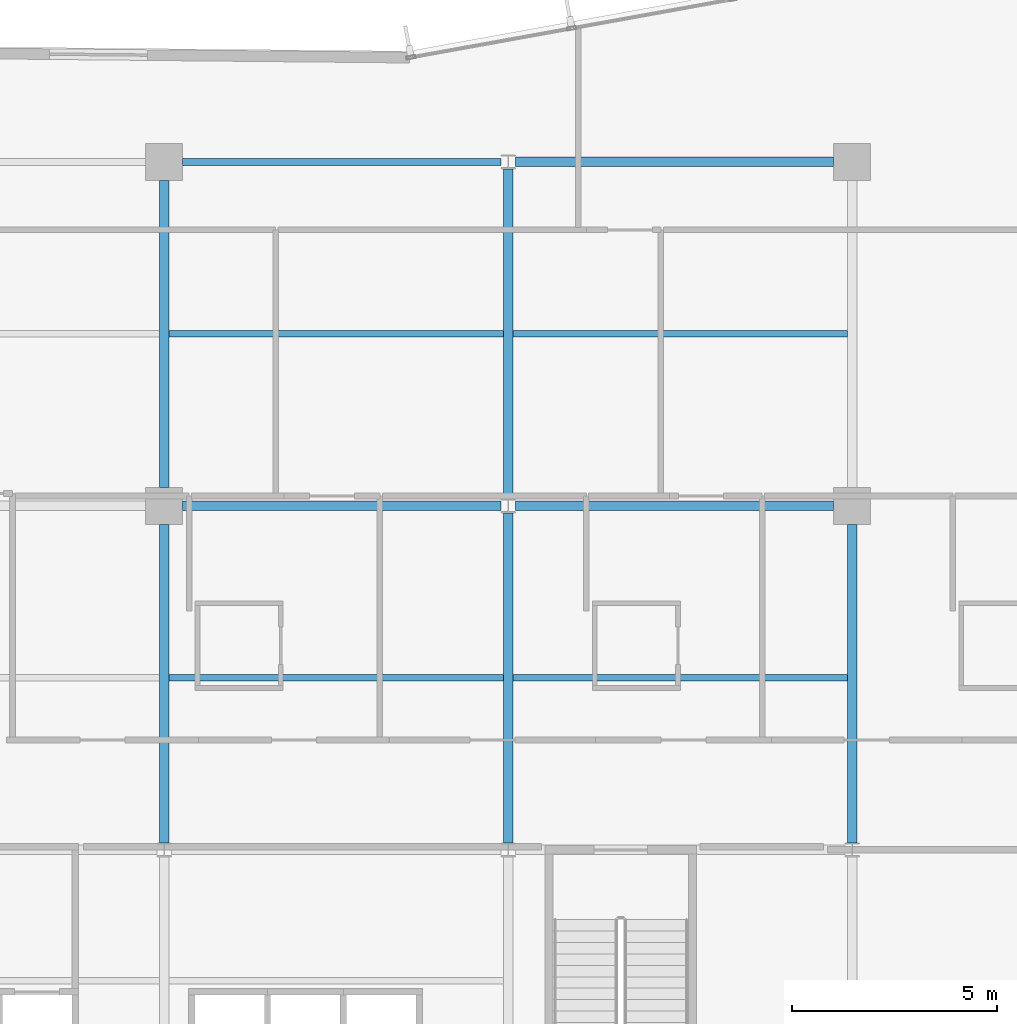
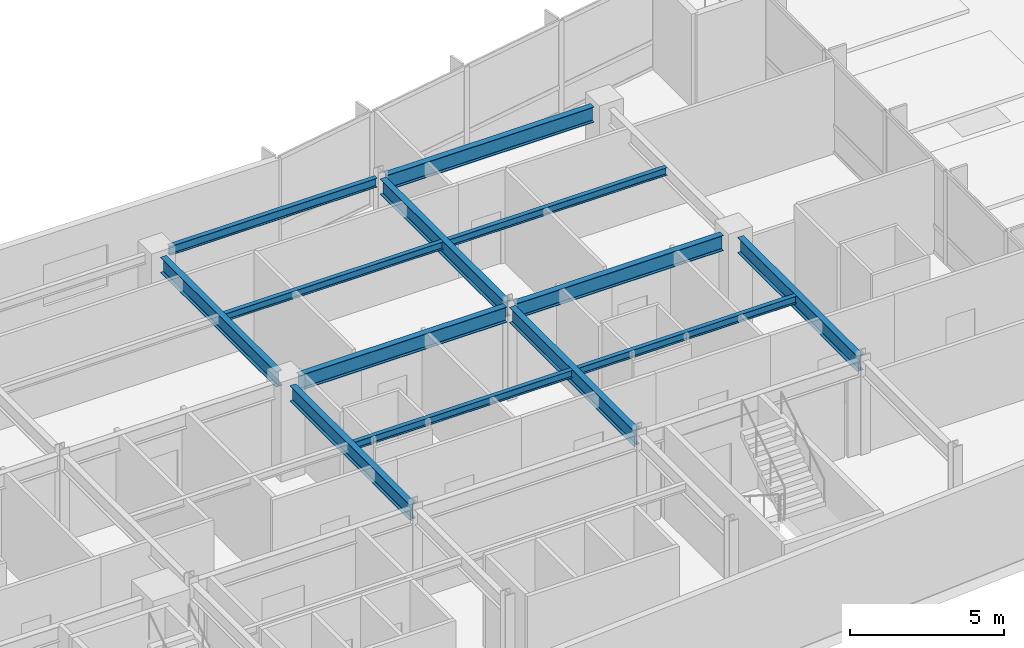
# One storey, part 5 of 20: 13 beams.
"""IFC4 building model written with IfcOpenShell, lengths in metres."""

import ifcopenshell
import ifcopenshell.guid

model = None  # the IFC model being written
_history = None  # IfcOwnerHistory: only IFC2X3 demands one
_inside = {}  # id of a spatial element -> (the spatial element, [elements in it])
_under = {}  # id of a project, library or spatial element -> (it, [spatial elements below it])
_declared = {}  # id of a project -> (the project, [libraries it declares])
_typed = {}  # id of a type object -> (the type object, [elements of that type])
_made_of = {}  # id of a material, layer set ... -> (it, [elements and type objects made of it])


def new_model(schema):
    """Start an empty IFC model of exactly this schema.

    Asked for "IFC4X3", IfcOpenShell would pick the latest addendum, in which some entities
    have other attributes; the version numbers below select the first issue.
    IFC2X3 requires an IfcOwnerHistory on every rooted entity: one is made here for all.
    """
    global model, _history
    if schema == "IFC4X3":
        model = ifcopenshell.file(schema_version=(4, 3, 0, 0))
    else:
        model = ifcopenshell.file(schema=schema)
    _inside.clear()
    _under.clear()
    _declared.clear()
    _typed.clear()
    _made_of.clear()
    _history = None
    if model.schema == "IFC2X3":
        org = make("IfcOrganization", Name="unknown")
        user = make(
            "IfcPersonAndOrganization",
            ThePerson=make("IfcPerson", FamilyName="unknown"),
            TheOrganization=org,
        )
        app = make(
            "IfcApplication",
            ApplicationDeveloper=org,
            Version="unknown",
            ApplicationFullName="unknown",
            ApplicationIdentifier="unknown",
        )
        _history = make(
            "IfcOwnerHistory",
            OwningUser=user,
            OwningApplication=app,
            ChangeAction="ADDED",
            CreationDate=0,
        )
    return model


def make(cls, **values):
    """One entity of the class cls with the attributes given. An attribute that is None is left unset."""
    return model.create_entity(
        cls, **{name: value for name, value in values.items() if value is not None}
    )


def rooted(cls, **values):
    """An entity with a GlobalId (a new one), such as an element, a storey or a relation."""
    return make(cls, GlobalId=ifcopenshell.guid.new(), OwnerHistory=_history, **values)


def si_unit(unit_type, name, prefix=None):
    """IfcSIUnit, for example si_unit("LENGTHUNIT", "METRE", prefix="MILLI")."""
    return make("IfcSIUnit", UnitType=unit_type, Prefix=prefix, Name=name)


def assignment(units):
    """IfcUnitAssignment: the units of a project."""
    return None if units is None else make("IfcUnitAssignment", Units=units)


def point(xyz):
    """IfcCartesianPoint."""
    return None if xyz is None else make("IfcCartesianPoint", Coordinates=xyz)


def direction(xyz):
    """IfcDirection."""
    return None if xyz is None else make("IfcDirection", DirectionRatios=xyz)


def frame(location, z_axis=None, x_axis=None):
    """IfcAxis2Placement3D, a coordinate frame: its origin and axes. An axis left out is left unset."""
    return make(
        "IfcAxis2Placement3D",
        Location=point(location),
        Axis=direction(z_axis),
        RefDirection=direction(x_axis),
    )


def frame_2d(location, x_axis=None):
    """IfcAxis2Placement2D, a coordinate frame in the plane: its origin and x axis."""
    return make(
        "IfcAxis2Placement2D", Location=point(location), RefDirection=direction(x_axis)
    )


def origin():
    """The frame at (0, 0, 0) with its axes left unset."""
    return frame((0.0, 0.0, 0.0))


def origin_2d():
    """The frame at (0, 0) in the plane with its x axis left unset."""
    return frame_2d((0.0, 0.0))


def place(relative_to, where):
    """IfcLocalPlacement: puts the frame where relative to a parent placement (None: the world)."""
    return make(
        "IfcLocalPlacement", PlacementRelTo=relative_to, RelativePlacement=where
    )


def context(
    kind, dimensions, precision=None, world=None, true_north=None, identifier=None
):
    """IfcGeometricRepresentationContext, for example the 3D "Model" context."""
    return make(
        "IfcGeometricRepresentationContext",
        ContextIdentifier=identifier,
        ContextType=kind,
        CoordinateSpaceDimension=dimensions,
        Precision=precision,
        WorldCoordinateSystem=world,
        TrueNorth=true_north,
    )


def subcontext(parent, identifier, kind, view, scale=None):
    """IfcGeometricRepresentationSubContext, for example "Body" below "Model"."""
    return make(
        "IfcGeometricRepresentationSubContext",
        ContextIdentifier=identifier,
        ContextType=kind,
        ParentContext=parent,
        TargetScale=scale,
        TargetView=view,
    )


def project(units=None, contexts=None):
    """IfcProject with its units and contexts."""
    return rooted(
        "IfcProject",
        Name="project",
        RepresentationContexts=contexts,
        UnitsInContext=assignment(units),
    )


def spatial(cls, under=None, at=None, **own):
    """A site, building, storey or space (cls), placed at a placement, below another one or the project."""
    s = rooted(cls, ObjectPlacement=at, **own)
    if under is not None:
        _under.setdefault(under.id(), (under, []))[1].append(s)
    return s


def profile(cls, at=None, kind="AREA", **sizes):
    """A parametric profile (cls). Its sizes go by their IFC names, for example OverallWidth=200.0."""
    return make(cls, ProfileType=kind, Position=at, **sizes)


def i_section(**sizes):
    """IfcIShapeProfileDef."""
    return profile("IfcIShapeProfileDef", **sizes)


def extrude(swept, where, along, depth):
    """IfcExtrudedAreaSolid: the profile swept, set in the frame where, extruded along a direction by depth."""
    return make(
        "IfcExtrudedAreaSolid",
        SweptArea=swept,
        Position=where,
        ExtrudedDirection=direction(along),
        Depth=depth,
    )


def shape(context_of_items, identifier, shape_type, items):
    """IfcShapeRepresentation: the items that make up one representation, for example the "Body"."""
    return make(
        "IfcShapeRepresentation",
        ContextOfItems=context_of_items,
        RepresentationIdentifier=identifier,
        RepresentationType=shape_type,
        Items=items,
    )


def material(Name=None, Category=None):
    """IfcMaterial."""
    return make("IfcMaterial", Name=Name, Category=Category)


def material_profile(
    of_material, cross_section, Name=None, Category=None, Priority=None
):
    """IfcMaterialProfile: a cross section and its material."""
    return make(
        "IfcMaterialProfile",
        Name=Name,
        Material=of_material,
        Profile=cross_section,
        Priority=Priority,
        Category=Category,
    )


def profile_set(profiles, Name=None, composite=None):
    """IfcMaterialProfileSet."""
    return make(
        "IfcMaterialProfileSet",
        Name=Name,
        MaterialProfiles=profiles,
        CompositeProfile=composite,
    )


def made_of(thing, what):
    """Note that an element or type object is made of a material, layer set ...; save() writes the relation."""
    if what is not None:
        _made_of.setdefault(what.id(), (what, []))[1].append(thing)
    return thing


def type_object(cls, material=None, **own):
    """A type object (cls), such as IfcWallType, which elements share."""
    return made_of(rooted(cls, **own), material)


def element(
    cls,
    number,
    at=None,
    inside=None,
    cuts=None,
    type_object=None,
    material=None,
    context=None,
    identifier="Body",
    shape_type=None,
    held_by="IfcProductDefinitionShape",
    body=None,
    shapes=None,
    **own,
):
    """One element of the class cls, such as IfcWall. Its Tag is "e" and its number.

    at: its placement. inside: the storey or other place that contains it. cuts: it is an
    opening in that element (IfcRelVoidsElement). A single representation is given by context,
    identifier, shape_type and body (its items); several are given by shapes. held_by: the class
    of the entity that holds the representations. save() writes the other relations.
    """
    e = rooted(cls, Tag="e%d" % number, ObjectPlacement=at, **own)
    if body is not None:
        shapes = [shape(context, identifier, shape_type, body)]
    if shapes is not None:
        e.Representation = make(held_by, Representations=shapes)
    if inside is not None:
        _inside.setdefault(inside.id(), (inside, []))[1].append(e)
    if cuts is not None:
        rooted(
            "IfcRelVoidsElement", RelatingBuildingElement=cuts, RelatedOpeningElement=e
        )
    if type_object is not None:
        _typed.setdefault(type_object.id(), (type_object, []))[1].append(e)
    return made_of(e, material)


def aggregate(whole, parts):
    """IfcRelAggregates: a whole, such as a stair, and the parts it consists of."""
    return rooted("IfcRelAggregates", RelatingObject=whole, RelatedObjects=parts)


def save(model, path):
    """Write the relations noted so far, then the file.

    IfcRelAggregates (storeys below a building ...), IfcRelContainedInSpatialStructure (elements
    in a storey), IfcRelDefinesByType, IfcRelAssociatesMaterial and IfcRelDeclares: one each for
    every whole, place, type object, material and project.
    """
    for whole, parts in _under.values():
        aggregate(whole, parts)
    for where, things in _inside.values():
        rooted(
            "IfcRelContainedInSpatialStructure",
            RelatedElements=things,
            RelatingStructure=where,
        )
    for kind, things in _typed.values():
        rooted("IfcRelDefinesByType", RelatedObjects=things, RelatingType=kind)
    for what, things in _made_of.values():
        rooted("IfcRelAssociatesMaterial", RelatedObjects=things, RelatingMaterial=what)
    for by, libraries in _declared.values():
        rooted("IfcRelDeclares", RelatingContext=by, RelatedDefinitions=libraries)
    model.write(path)


model = new_model("IFC4")

# Units and contexts
model_context = context("Model", 3, precision=1e-05, world=origin(), true_north=direction((0.0, 1.0)))
body_context = subcontext(model_context, "Body", "Model", "MODEL_VIEW")
ifc_project = project(units=[si_unit("LENGTHUNIT", "METRE"), si_unit("AREAUNIT", "SQUARE_METRE"), si_unit("VOLUMEUNIT", "CUBIC_METRE"), si_unit("PLANEANGLEUNIT", "RADIAN"), si_unit("MASSUNIT", "GRAM", prefix="KILO")], contexts=[model_context])

# Site, building, storey
site_placement = place(None, origin())
site = spatial("IfcSite", under=ifc_project, at=site_placement, CompositionType="ELEMENT")
building_placement = place(site_placement, origin())
building = spatial("IfcBuilding", under=site, at=building_placement, Name="Varnakote Quay Hospital", CompositionType="ELEMENT")
storey_placement = place(building_placement, frame((0.0, 0.0, 22.5)))
storey = spatial("IfcBuildingStorey", under=building, at=storey_placement, Name="L05", CompositionType="ELEMENT", Elevation=22.5)

# Beams
ifc_material_1 = material(Name="Structural steel AS/NZS 3679.1 Grade 350 L0 (fy 340 MPa)", Category="steel")
ifc_material_profile_1 = material_profile(ifc_material_1, i_section(OverallWidth=0.22900390625, OverallDepth=0.612060546875, WebThickness=0.011962890625, FlangeThickness=0.01953125, FilletRadius=0.013916015625, at=origin_2d()), Name="610UB125")
ifc_profile_set_1 = profile_set([ifc_material_profile_1], Name="Structural steel AS/NZS 3679.1 Grade 350 L0 (fy 340 MPa)")
beam_type_1 = type_object("IfcBeamType", Name="BM-STL-610UB125", PredefinedType="BEAM", material=ifc_profile_set_1)
for number, where, z_axis, x_axis, name in (
    (1, (34.050048828125, 20.39990234375, 3.404052734375), (1.0, 0.0, 0.0), (0.0, 1.0, 0.0), "L05 Plated Composite Transfer Beam"),
    (2, (42.175048828125, 20.39990234375, 3.404052734375), (1.0, 0.0, 0.0), (0.0, 1.0, 0.0), "L05 Plated Composite Transfer Beam"),
    (3, (42.175048828125, 28.800048828125, 3.404052734375), (1.0, 0.0, 0.0), (0.0, 1.0, 0.0), "L05 Plated Composite Transfer Beam"),
):
    element("IfcBeam", number, at=place(storey_placement, frame(where, z_axis=z_axis, x_axis=x_axis)), inside=storey, type_object=beam_type_1, Name=name, PredefinedType="BEAM", context=body_context, shape_type="SweptSolid", body=[
        extrude(i_section(OverallWidth=0.22900390625, OverallDepth=0.612060546875, WebThickness=0.011962890625, FlangeThickness=0.01953125, FilletRadius=0.013916015625, at=origin_2d()), origin(), (0.0, 0.0, 1.0), 7.77490234375),
    ])
beam_1_placement = place(storey_placement, frame((33.60009765625, 12.169921875, 3.404052734375), z_axis=(0.0, 1.0, 0.0), x_axis=(-1.0, 0.0, 0.0)))
element("IfcBeam", 4, at=beam_1_placement, inside=storey, type_object=beam_type_1, Name="L05 Primary Tie Beam", PredefinedType="BEAM", context=body_context, shape_type="SweptSolid", body=[
    extrude(i_section(OverallWidth=0.22900390625, OverallDepth=0.612060546875, WebThickness=0.011962890625, FlangeThickness=0.01953125, FilletRadius=0.013916015625, at=origin_2d()), origin(), (0.0, 0.0, 1.0), 7.780029296875),
])
beam_2_placement = place(storey_placement, frame((33.60009765625, 20.85009765625, 3.404052734375), z_axis=(0.0, 1.0, 0.0), x_axis=(-1.0, 0.0, 0.0)))
element("IfcBeam", 5, at=beam_2_placement, inside=storey, type_object=beam_type_1, Name="L05 Primary Tie Beam", PredefinedType="BEAM", context=body_context, shape_type="SweptSolid", body=[
    extrude(i_section(OverallWidth=0.22900390625, OverallDepth=0.612060546875, WebThickness=0.011962890625, FlangeThickness=0.01953125, FilletRadius=0.013916015625, at=origin_2d()), origin(), (0.0, 0.0, 1.0), 7.5),
])
beam_3_placement = place(storey_placement, frame((42.0, 12.169921875, 3.404052734375), z_axis=(0.0, 1.0, 0.0), x_axis=(-1.0, 0.0, 0.0)))
element("IfcBeam", 6, at=beam_3_placement, inside=storey, type_object=beam_type_1, Name="L05 Primary Tie Beam", PredefinedType="BEAM", context=body_context, shape_type="SweptSolid", body=[
    extrude(i_section(OverallWidth=0.22900390625, OverallDepth=0.612060546875, WebThickness=0.011962890625, FlangeThickness=0.01953125, FilletRadius=0.013916015625, at=origin_2d()), origin(), (0.0, 0.0, 1.0), 8.06005859375),
])
beam_4_placement = place(storey_placement, frame((42.0, 20.570068359375, 3.404052734375), z_axis=(0.0, 1.0, 0.0), x_axis=(-1.0, 0.0, 0.0)))
element("IfcBeam", 7, at=beam_4_placement, inside=storey, type_object=beam_type_1, Name="L05 Primary Tie Beam", PredefinedType="BEAM", context=body_context, shape_type="SweptSolid", body=[
    extrude(i_section(OverallWidth=0.22900390625, OverallDepth=0.612060546875, WebThickness=0.011962890625, FlangeThickness=0.01953125, FilletRadius=0.013916015625, at=origin_2d()), origin(), (0.0, 0.0, 1.0), 8.059814453125),
])
beam_5_placement = place(storey_placement, frame((50.39990234375, 12.169921875, 3.404052734375), z_axis=(0.0, 1.0, 0.0), x_axis=(-1.0, 0.0, 0.0)))
element("IfcBeam", 8, at=beam_5_placement, inside=storey, type_object=beam_type_1, Name="L05 Primary Tie Beam", PredefinedType="BEAM", context=body_context, shape_type="SweptSolid", body=[
    extrude(i_section(OverallWidth=0.22900390625, OverallDepth=0.612060546875, WebThickness=0.011962890625, FlangeThickness=0.01953125, FilletRadius=0.013916015625, at=origin_2d()), origin(), (0.0, 0.0, 1.0), 7.780029296875),
])
ifc_material_2 = material(Name="Structural steel AS/NZS 3679.1 Grade 350 L0 (fy 340 MPa)", Category="steel")
ifc_material_profile_2 = material_profile(ifc_material_2, i_section(OverallWidth=0.1650390625, OverallDepth=0.303955078125, WebThickness=0.006103515625, FlangeThickness=0.01025390625, FilletRadius=0.011474609375, at=origin_2d()), Name="310UB40.4")
ifc_profile_set_2 = profile_set([ifc_material_profile_2], Name="Structural steel AS/NZS 3679.1 Grade 350 L0 (fy 340 MPa)")
beam_type_2 = type_object("IfcBeamType", Name="JST-STL-310UB40-4", PredefinedType="JOIST", material=ifc_profile_set_2)
for number, where, z_axis, x_axis, name in (
    (9, (33.714599609375, 16.199951171875, 3.55810546875), (1.0, 0.0, 0.0), (0.0, 1.0, 0.0), "L05 Composite Floor Joist"),
    (10, (42.114501953125, 16.199951171875, 3.55810546875), (1.0, 0.0, 0.0), (0.0, 1.0, 0.0), "L05 Composite Floor Joist"),
    (11, (33.714599609375, 24.60009765625, 3.55810546875), (1.0, 0.0, 0.0), (0.0, 1.0, 0.0), "L05 Composite Floor Joist"),
    (12, (42.114501953125, 24.60009765625, 3.55810546875), (1.0, 0.0, 0.0), (0.0, 1.0, 0.0), "L05 Composite Floor Joist"),
):
    element("IfcBeam", number, at=place(storey_placement, frame(where, z_axis=z_axis, x_axis=x_axis)), inside=storey, type_object=beam_type_2, Name=name, PredefinedType="JOIST", context=body_context, shape_type="SweptSolid", body=[
        extrude(i_section(OverallWidth=0.1650390625, OverallDepth=0.303955078125, WebThickness=0.006103515625, FlangeThickness=0.01025390625, FilletRadius=0.011474609375, at=origin_2d()), origin(), (0.0, 0.0, 1.0), 8.1708984375),
    ])
ifc_material_3 = material(Name="Structural steel AS/NZS 3679.1 Grade 350 L0 (fy 340 MPa)", Category="steel")
ifc_material_profile_3 = material_profile(ifc_material_3, i_section(OverallWidth=0.172119140625, OverallDepth=0.35888671875, WebThickness=0.008056640625, FlangeThickness=0.012939453125, FilletRadius=0.011474609375, at=origin_2d()), Name="360UB56.7")
ifc_profile_set_3 = profile_set([ifc_material_profile_3], Name="Structural steel AS/NZS 3679.1 Grade 350 L0 (fy 340 MPa)")
beam_type_3 = type_object("IfcBeamType", Name="SPN-STL-360UB56-7", PredefinedType="SPANDREL", material=ifc_profile_set_3)
beam_6_placement = place(storey_placement, frame((34.050048828125, 28.800048828125, 3.530517578125), z_axis=(1.0, 0.0, 0.0), x_axis=(0.0, 1.0, 0.0)))
element("IfcBeam", 13, at=beam_6_placement, inside=storey, type_object=beam_type_3, Name="L05 Perimeter Spandrel Beam", PredefinedType="SPANDREL", context=body_context, shape_type="SweptSolid", body=[
    extrude(i_section(OverallWidth=0.172119140625, OverallDepth=0.35888671875, WebThickness=0.008056640625, FlangeThickness=0.012939453125, FilletRadius=0.011474609375, at=origin_2d()), origin(), (0.0, 0.0, 1.0), 7.77490234375),
])

save(model, "model.ifc")
